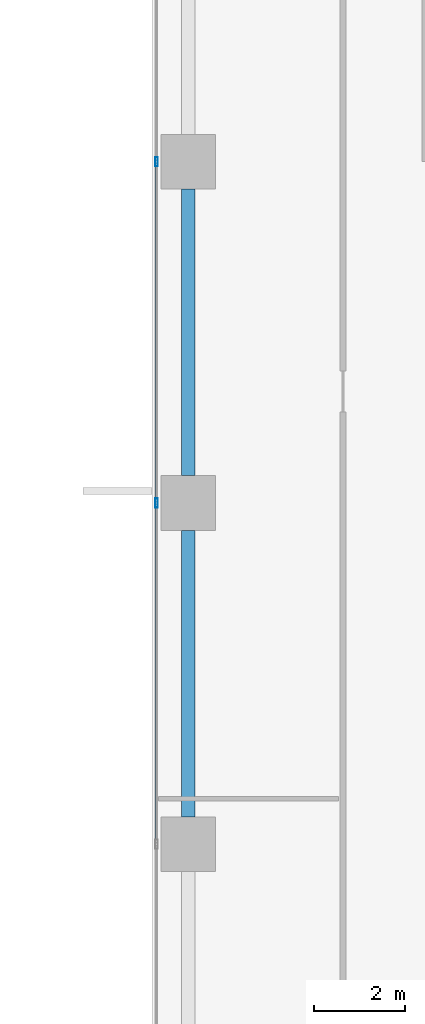
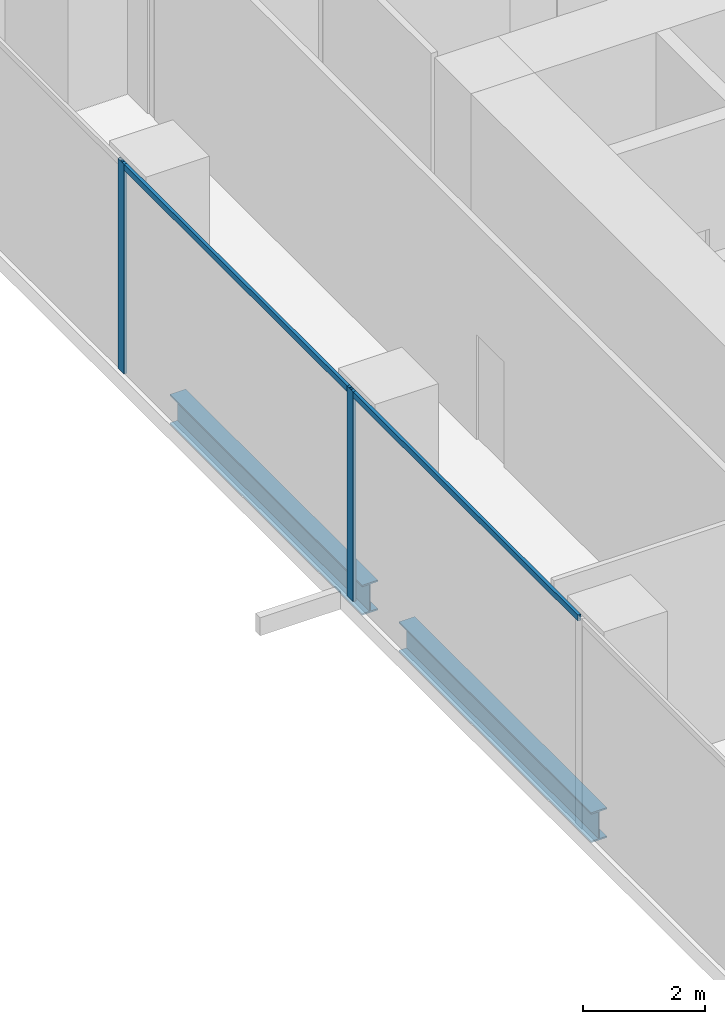
# One storey, part 12 of 33: 4 members, 2 beams, 1 element without a shape of its own.
"""IFC4 building model written with IfcOpenShell, lengths in metres."""

from ifc_helpers import new_model, si_unit, direction, frame, origin, origin_2d, place, context, subcontext, project, spatial, hollow_rectangle, i_section, extrude, source, transform, mapped, material, material_profile, profile_set, type_object, element, aggregate, save


model = new_model("IFC4")

# Units and contexts
model_context = context("Model", 3, precision=1e-05, world=origin(), true_north=direction((0.0, 1.0)))
body_context = subcontext(model_context, "Body", "Model", "MODEL_VIEW")
ifc_project = project(units=[si_unit("LENGTHUNIT", "METRE"), si_unit("AREAUNIT", "SQUARE_METRE"), si_unit("VOLUMEUNIT", "CUBIC_METRE"), si_unit("PLANEANGLEUNIT", "RADIAN"), si_unit("MASSUNIT", "GRAM", prefix="KILO")], contexts=[model_context])

# Site, building, storey
site_placement = place(None, origin())
site = spatial("IfcSite", under=ifc_project, at=site_placement, CompositionType="ELEMENT")
building_placement = place(site_placement, origin())
building = spatial("IfcBuilding", under=site, at=building_placement, Name="Khomas Fold Tower", CompositionType="ELEMENT")
storey_placement = place(building_placement, frame((0.0, 0.0, 78.0)))
storey = spatial("IfcBuildingStorey", under=building, at=storey_placement, Name="L16", CompositionType="ELEMENT", Elevation=78.0)

# Beams
ifc_material_1 = material(Name="Steel S355", Category="steel")
ifc_material_profile_1 = material_profile(ifc_material_1, i_section(OverallWidth=0.300048828125, OverallDepth=0.60009765625, WebThickness=0.015380859375, FlangeThickness=0.030029296875, at=origin_2d()), Name="HE 600 B")
ifc_profile_set_1 = profile_set([ifc_material_profile_1], Name="Steel S355")
beam_type = type_object("IfcBeamType", Name="HE 600 B spandrel SB1", PredefinedType="SPANDREL", material=ifc_profile_set_1)
shared_shape_1 = source(origin(), body_context, "Body", "SweptSolid", [
    extrude(i_section(OverallWidth=0.300048828125, OverallDepth=0.60009765625, WebThickness=0.015380859375, FlangeThickness=0.030029296875, at=origin_2d()), origin(), (0.0, 0.0, 1.0), 6.2998046875),
])
for number, where, z_axis, x_axis, name in (
    (1, (0.800048828125, 35.10009765625, -0.60009765625), (0.0, 1.0, 0.0), (-1.0, 0.0, 0.0), "SB1"),
    (2, (0.800048828125, 27.60009765625, -0.60009765625), (0.0, 1.0, 0.0), (-1.0, 0.0, 0.0), "SB1"),
):
    element("IfcBeam", number, at=place(storey_placement, frame(where, z_axis=z_axis, x_axis=x_axis)), inside=storey, type_object=beam_type, Name=name, PredefinedType="SPANDREL", context=body_context, shape_type="MappedRepresentation", body=[
        mapped(shared_shape_1, transform((0.0, 0.0, 0.0))),
    ])

# Curtain wall, members
ifc_material_2 = material(Name="Aluminium framed double glazing", Category="aluminium")
curtain_wall_type = type_object("IfcCurtainWallType", Name="SK-Unitised clear-glass wall, growing floors CW1", PredefinedType="NOTDEFINED", material=ifc_material_2)
curtain_wall_placement = place(storey_placement, origin())
curtain_wall = element("IfcCurtainWall", 3, at=curtain_wall_placement, inside=storey, type_object=curtain_wall_type, Name="CW1 run L16 09-0", PredefinedType="NOTDEFINED")
ifc_material_3 = material(Name="Aluminium", Category="aluminium")
ifc_material_profile_2 = material_profile(ifc_material_3, hollow_rectangle(XDim=0.06005859375, YDim=0.1201171875, WallThickness=0.00390625, at=origin_2d()), Name="SK-Unitised clear-glass wall, growing floors transom CW1-T")
ifc_profile_set_2 = profile_set([ifc_material_profile_2], Name="Aluminium")
member_type_1 = type_object("IfcMemberType", Name="SK-Unitised clear-glass wall, growing floors transom CW1-T", PredefinedType="USERDEFINED", material=ifc_profile_set_2)
shared_shape_2 = source(origin(), body_context, "Body", "SweptSolid", [
    extrude(hollow_rectangle(XDim=0.06005859375, YDim=0.1201171875, WallThickness=0.00390625, at=origin_2d()), origin(), (0.0, 0.0, 1.0), 7.43994140625),
])
member_1_placement = place(storey_placement, frame((0.10009765625, 41.969970703125, 4.139892578125), z_axis=(0.0, -1.0, 0.0), x_axis=(1.0, 0.0, 0.0)))
member_1 = element("IfcMember", 4, at=member_1_placement, type_object=member_type_1, Name="CW1 transom 3", ObjectType="TRANSOM", PredefinedType="USERDEFINED", context=body_context, shape_type="MappedRepresentation", body=[
    mapped(shared_shape_2, transform((0.0, 0.0, 0.0))),
])
member_2_placement = place(storey_placement, frame((0.10009765625, 34.469970703125, 4.139892578125), z_axis=(0.0, -1.0, 0.0), x_axis=(1.0, 0.0, 0.0)))
member_2 = element("IfcMember", 5, at=member_2_placement, type_object=member_type_1, Name="CW1 transom 4", ObjectType="TRANSOM", PredefinedType="USERDEFINED", context=body_context, shape_type="MappedRepresentation", body=[
    mapped(shared_shape_2, transform((0.0, 0.0, 0.0))),
])
ifc_material_4 = material(Name="Aluminium", Category="aluminium")
ifc_material_profile_3 = material_profile(ifc_material_4, hollow_rectangle(XDim=0.06005859375, YDim=0.199951171875, WallThickness=0.00390625, at=origin_2d()), Name="SK-Unitised clear-glass wall, growing floors mullion CW1-M")
ifc_profile_set_3 = profile_set([ifc_material_profile_3], Name="Aluminium")
member_type_2 = type_object("IfcMemberType", Name="SK-Unitised clear-glass wall, growing floors mullion CW1-M", PredefinedType="MULLION", material=ifc_profile_set_3)
shared_shape_3 = source(origin(), body_context, "Body", "SweptSolid", [
    extrude(hollow_rectangle(XDim=0.06005859375, YDim=0.199951171875, WallThickness=0.00390625, at=origin_2d()), origin(), (0.0, 0.0, 1.0), 4.199951171875),
])
member_3_placement = place(storey_placement, frame((0.10009765625, 42.0, 0.0), z_axis=(0.0, 0.0, 1.0), x_axis=(1.0, 0.0, 0.0)))
member_3 = element("IfcMember", 6, at=member_3_placement, type_object=member_type_2, Name="CW1 mullion 3", PredefinedType="MULLION", context=body_context, shape_type="MappedRepresentation", body=[
    mapped(shared_shape_3, transform((0.0, 0.0, 0.0))),
])
member_4_placement = place(storey_placement, frame((0.10009765625, 34.5, 0.0), z_axis=(0.0, 0.0, 1.0), x_axis=(1.0, 0.0, 0.0)))
member_4 = element("IfcMember", 7, at=member_4_placement, type_object=member_type_2, Name="CW1 mullion 4", PredefinedType="MULLION", context=body_context, shape_type="MappedRepresentation", body=[
    mapped(shared_shape_3, transform((0.0, 0.0, 0.0))),
])
aggregate(curtain_wall, [member_3, member_4, member_1, member_2])

save(model, "model.ifc")
